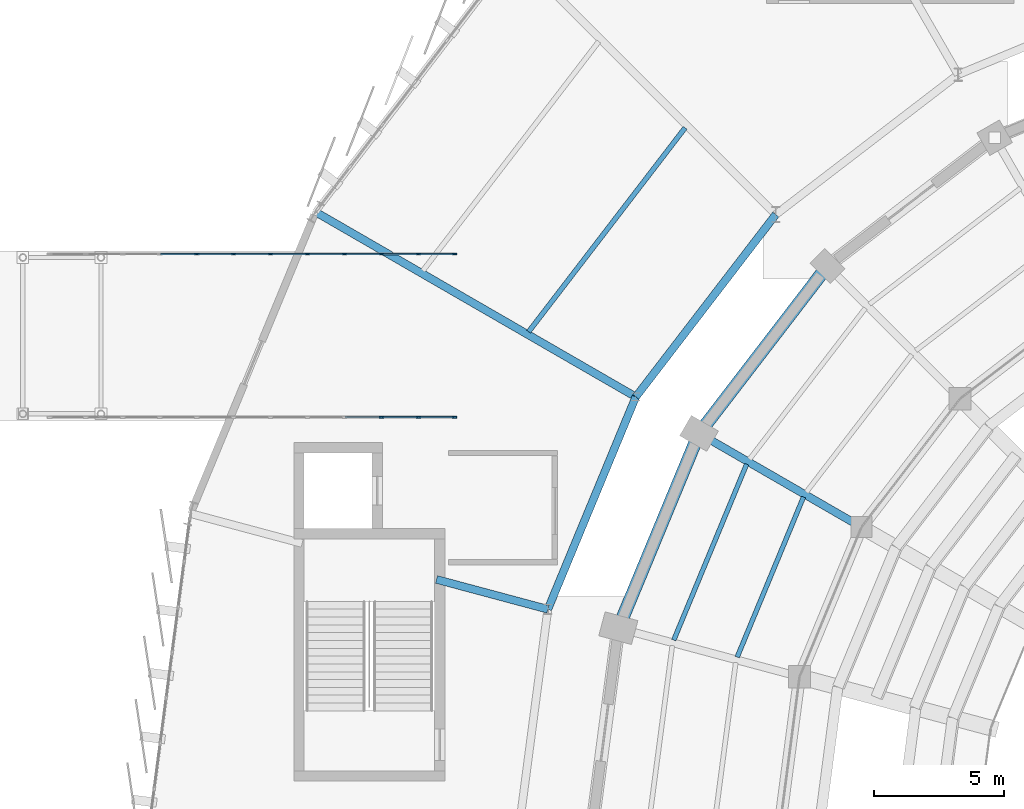
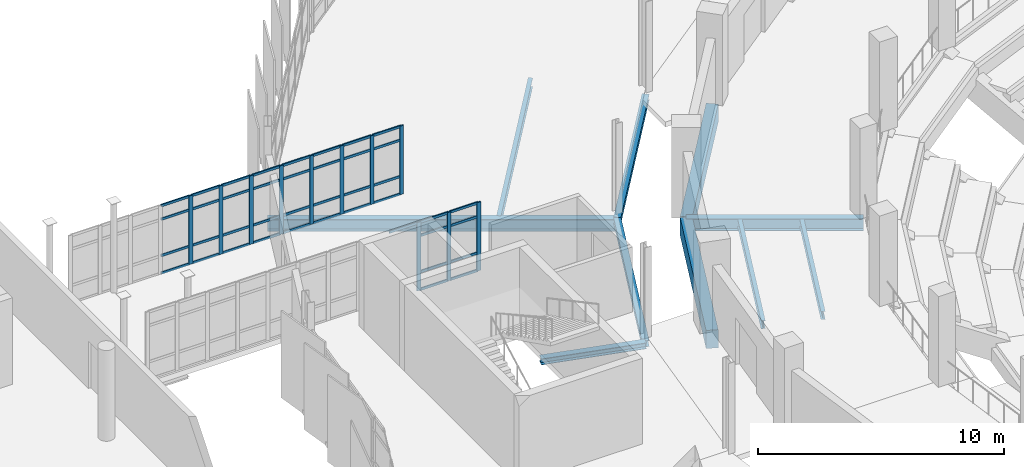
# One storey, part 49 of 134: 52 members, 10 beams, 2 elements without a shape of their own.
"""IFC4 building model written with IfcOpenShell, lengths in metres."""

from ifc_helpers import new_model, si_unit, direction, frame, origin, origin_2d, place, context, subcontext, project, spatial, rectangle, i_section, extrude, material, layer, layer_set, material_profile, profile_set, type_object, element, aggregate, save


model = new_model("IFC4")

# Units and contexts
model_context = context("Model", 3, precision=1e-05, world=origin(), true_north=direction((0.0, 1.0)))
body_context = subcontext(model_context, "Body", "Model", "MODEL_VIEW")
ifc_project = project(units=[si_unit("LENGTHUNIT", "METRE"), si_unit("AREAUNIT", "SQUARE_METRE"), si_unit("VOLUMEUNIT", "CUBIC_METRE"), si_unit("PLANEANGLEUNIT", "RADIAN"), si_unit("MASSUNIT", "GRAM", prefix="KILO")], contexts=[model_context])

# Site, building, storey
site_placement = place(None, origin())
site = spatial("IfcSite", under=ifc_project, at=site_placement, CompositionType="ELEMENT")
building_placement = place(site_placement, origin())
building = spatial("IfcBuilding", under=site, at=building_placement, Name="Sohan Crest Arena", CompositionType="ELEMENT")
storey_placement = place(building_placement, frame((0.0, 0.0, 4.5)))
storey = spatial("IfcBuildingStorey", under=building, at=storey_placement, Name="L01", CompositionType="ELEMENT", Elevation=4.5)

# Curtain wall, members
ifc_material_1 = material(Name="Thermally broken anodised aluminium", Category="aluminium")
ifc_layer = layer(ifc_material_1, 0.18994140625, Name="Thermally broken anodised aluminium")
ifc_layer_set = layer_set([ifc_layer], Name="Thermally broken anodised aluminium")
curtain_wall_type = type_object("IfcCurtainWallType", Name="ARC-CW05", PredefinedType="NOTDEFINED", material=ifc_layer_set)
curtain_wall_1_placement = place(storey_placement, origin())
curtain_wall_1 = element("IfcCurtainWall", 1, at=curtain_wall_1_placement, inside=storey, type_object=curtain_wall_type, Name="Unitised curtain wall CW-233", PredefinedType="NOTDEFINED")
ifc_material_profile_1 = material_profile(ifc_material_1, rectangle(XDim=0.06494140625, YDim=0.179931640625, at=origin_2d()), Name="ALU-MULL 65x180")
ifc_profile_set_1 = profile_set([ifc_material_profile_1], Name="Thermally broken anodised aluminium")
member_type_1 = type_object("IfcMemberType", Name="ARC-CW-ML02", PredefinedType="MULLION", material=ifc_profile_set_1)
member_1_placement = place(storey_placement, frame((58.963623046875, 94.1201171875, 0.0), z_axis=(0.0, 0.0, 1.0), x_axis=(0.0, 1.0, 0.0)))
member_1 = element("IfcMember", 2, at=member_1_placement, type_object=member_type_1, Name="CW-233 mullion 10", PredefinedType="MULLION", context=body_context, shape_type="SweptSolid", body=[
    extrude(rectangle(XDim=0.06494140625, YDim=0.179931640625, at=origin_2d()), origin(), (0.0, 0.0, 1.0), 3.39990234375),
])
member_2_placement = place(storey_placement, frame((60.3818359375, 94.1201171875, 0.0), z_axis=(0.0, 0.0, 1.0), x_axis=(0.0, 1.0, 0.0)))
member_2 = element("IfcMember", 3, at=member_2_placement, type_object=member_type_1, Name="CW-233 mullion 11", PredefinedType="MULLION", context=body_context, shape_type="SweptSolid", body=[
    extrude(rectangle(XDim=0.06494140625, YDim=0.179931640625, at=origin_2d()), origin(), (0.0, 0.0, 1.0), 3.39990234375),
])
member_3_placement = place(storey_placement, frame((61.767578125, 94.1201171875, 0.0), z_axis=(0.0, 0.0, 1.0), x_axis=(0.0, 1.0, 0.0)))
member_3 = element("IfcMember", 4, at=member_3_placement, type_object=member_type_1, Name="CW-233 mullion 12", PredefinedType="MULLION", context=body_context, shape_type="SweptSolid", body=[
    extrude(rectangle(XDim=0.06494140625, YDim=0.179931640625, at=origin_2d()), origin(), (0.0, 0.0, 1.0), 3.39990234375),
])

curtain_wall_2_placement = place(storey_placement, origin())
curtain_wall_2 = element("IfcCurtainWall", 5, at=curtain_wall_2_placement, inside=storey, type_object=curtain_wall_type, Name="Unitised curtain wall CW-234", PredefinedType="NOTDEFINED")
member_4_placement = place(storey_placement, frame((51.872802734375, 100.3798828125, 0.0), z_axis=(0.0, 0.0, 1.0), x_axis=(0.0, 1.0, 0.0)))
member_4 = element("IfcMember", 6, at=member_4_placement, type_object=member_type_1, Name="CW-234 mullion 5", PredefinedType="MULLION", context=body_context, shape_type="SweptSolid", body=[
    extrude(rectangle(XDim=0.06494140625, YDim=0.179931640625, at=origin_2d()), origin(), (0.0, 0.0, 1.0), 3.39990234375),
])
member_5_placement = place(storey_placement, frame((53.291015625, 100.3798828125, 0.0), z_axis=(0.0, 0.0, 1.0), x_axis=(0.0, 1.0, 0.0)))
member_5 = element("IfcMember", 7, at=member_5_placement, type_object=member_type_1, Name="CW-234 mullion 6", PredefinedType="MULLION", context=body_context, shape_type="SweptSolid", body=[
    extrude(rectangle(XDim=0.06494140625, YDim=0.179931640625, at=origin_2d()), origin(), (0.0, 0.0, 1.0), 3.39990234375),
])
member_6_placement = place(storey_placement, frame((54.708984375, 100.3798828125, 0.0), z_axis=(0.0, 0.0, 1.0), x_axis=(0.0, 1.0, 0.0)))
member_6 = element("IfcMember", 8, at=member_6_placement, type_object=member_type_1, Name="CW-234 mullion 7", PredefinedType="MULLION", context=body_context, shape_type="SweptSolid", body=[
    extrude(rectangle(XDim=0.06494140625, YDim=0.179931640625, at=origin_2d()), origin(), (0.0, 0.0, 1.0), 3.39990234375),
])
member_7_placement = place(storey_placement, frame((56.127197265625, 100.3798828125, 0.0), z_axis=(0.0, 0.0, 1.0), x_axis=(0.0, 1.0, 0.0)))
member_7 = element("IfcMember", 9, at=member_7_placement, type_object=member_type_1, Name="CW-234 mullion 8", PredefinedType="MULLION", context=body_context, shape_type="SweptSolid", body=[
    extrude(rectangle(XDim=0.06494140625, YDim=0.179931640625, at=origin_2d()), origin(), (0.0, 0.0, 1.0), 3.39990234375),
])
member_8_placement = place(storey_placement, frame((57.54541015625, 100.3798828125, 0.0), z_axis=(0.0, 0.0, 1.0), x_axis=(0.0, 1.0, 0.0)))
member_8 = element("IfcMember", 10, at=member_8_placement, type_object=member_type_1, Name="CW-234 mullion 9", PredefinedType="MULLION", context=body_context, shape_type="SweptSolid", body=[
    extrude(rectangle(XDim=0.06494140625, YDim=0.179931640625, at=origin_2d()), origin(), (0.0, 0.0, 1.0), 3.39990234375),
])
member_9_placement = place(storey_placement, frame((58.963623046875, 100.3798828125, 0.0), z_axis=(0.0, 0.0, 1.0), x_axis=(0.0, 1.0, 0.0)))
member_9 = element("IfcMember", 11, at=member_9_placement, type_object=member_type_1, Name="CW-234 mullion 10", PredefinedType="MULLION", context=body_context, shape_type="SweptSolid", body=[
    extrude(rectangle(XDim=0.06494140625, YDim=0.179931640625, at=origin_2d()), origin(), (0.0, 0.0, 1.0), 3.39990234375),
])
member_10_placement = place(storey_placement, frame((60.3818359375, 100.3798828125, 0.0), z_axis=(0.0, 0.0, 1.0), x_axis=(0.0, 1.0, 0.0)))
member_10 = element("IfcMember", 12, at=member_10_placement, type_object=member_type_1, Name="CW-234 mullion 11", PredefinedType="MULLION", context=body_context, shape_type="SweptSolid", body=[
    extrude(rectangle(XDim=0.06494140625, YDim=0.179931640625, at=origin_2d()), origin(), (0.0, 0.0, 1.0), 3.39990234375),
])
member_11_placement = place(storey_placement, frame((61.767578125, 100.3798828125, 0.0), z_axis=(0.0, 0.0, 1.0), x_axis=(0.0, 1.0, 0.0)))
member_11 = element("IfcMember", 13, at=member_11_placement, type_object=member_type_1, Name="CW-234 mullion 12", PredefinedType="MULLION", context=body_context, shape_type="SweptSolid", body=[
    extrude(rectangle(XDim=0.06494140625, YDim=0.179931640625, at=origin_2d()), origin(), (0.0, 0.0, 1.0), 3.39990234375),
])

# Member
ifc_material_profile_2 = material_profile(ifc_material_1, rectangle(XDim=0.06005859375, YDim=0.1201171875, at=origin_2d()), Name="ALU-TRAN 60x120")
ifc_profile_set_2 = profile_set([ifc_material_profile_2], Name="Thermally broken anodised aluminium")
member_type_2 = type_object("IfcMemberType", Name="ARC-CW-TR01", PredefinedType="USERDEFINED", material=ifc_profile_set_2)
member_12_placement = place(storey_placement, frame((57.577880859375, 94.1201171875, 3.3701171875), z_axis=(1.0, 0.0, 0.0), x_axis=(0.0, 1.0, 0.0)))
member_12 = element("IfcMember", 14, at=member_12_placement, type_object=member_type_2, Name="CW-233 transom 9.4", ObjectType="TRANSOM", PredefinedType="USERDEFINED", context=body_context, shape_type="SweptSolid", body=[
    extrude(rectangle(XDim=0.06005859375, YDim=0.1201171875, at=origin_2d()), origin(), (0.0, 0.0, 1.0), 1.353271484375),
])

member_13_placement = place(storey_placement, frame((58.99609375, 94.1201171875, 0.030029296875), z_axis=(1.0, 0.0, 0.0), x_axis=(0.0, 1.0, 0.0)))
member_13 = element("IfcMember", 15, at=member_13_placement, type_object=member_type_2, Name="CW-233 transom 10.1", ObjectType="TRANSOM", PredefinedType="USERDEFINED", context=body_context, shape_type="SweptSolid", body=[
    extrude(rectangle(XDim=0.06005859375, YDim=0.1201171875, at=origin_2d()), origin(), (0.0, 0.0, 1.0), 1.353271484375),
])

member_14_placement = place(storey_placement, frame((58.99609375, 94.1201171875, 0.89990234375), z_axis=(1.0, 0.0, 0.0), x_axis=(0.0, 1.0, 0.0)))
member_14 = element("IfcMember", 16, at=member_14_placement, type_object=member_type_2, Name="CW-233 transom 10.2", ObjectType="TRANSOM", PredefinedType="USERDEFINED", context=body_context, shape_type="SweptSolid", body=[
    extrude(rectangle(XDim=0.06005859375, YDim=0.1201171875, at=origin_2d()), origin(), (0.0, 0.0, 1.0), 1.353271484375),
])

member_15_placement = place(storey_placement, frame((58.99609375, 94.1201171875, 2.699951171875), z_axis=(1.0, 0.0, 0.0), x_axis=(0.0, 1.0, 0.0)))
member_15 = element("IfcMember", 17, at=member_15_placement, type_object=member_type_2, Name="CW-233 transom 10.3", ObjectType="TRANSOM", PredefinedType="USERDEFINED", context=body_context, shape_type="SweptSolid", body=[
    extrude(rectangle(XDim=0.06005859375, YDim=0.1201171875, at=origin_2d()), origin(), (0.0, 0.0, 1.0), 1.353271484375),
])

member_16_placement = place(storey_placement, frame((58.99609375, 94.1201171875, 3.3701171875), z_axis=(1.0, 0.0, 0.0), x_axis=(0.0, 1.0, 0.0)))
member_16 = element("IfcMember", 18, at=member_16_placement, type_object=member_type_2, Name="CW-233 transom 10.4", ObjectType="TRANSOM", PredefinedType="USERDEFINED", context=body_context, shape_type="SweptSolid", body=[
    extrude(rectangle(XDim=0.06005859375, YDim=0.1201171875, at=origin_2d()), origin(), (0.0, 0.0, 1.0), 1.353271484375),
])

member_17_placement = place(storey_placement, frame((60.414306640625, 94.1201171875, 0.030029296875), z_axis=(1.0, 0.0, 0.0), x_axis=(0.0, 1.0, 0.0)))
member_17 = element("IfcMember", 19, at=member_17_placement, type_object=member_type_2, Name="CW-233 transom 11.1", ObjectType="TRANSOM", PredefinedType="USERDEFINED", context=body_context, shape_type="SweptSolid", body=[
    extrude(rectangle(XDim=0.06005859375, YDim=0.1201171875, at=origin_2d()), origin(), (0.0, 0.0, 1.0), 1.32080078125),
])

member_18_placement = place(storey_placement, frame((60.414306640625, 94.1201171875, 0.89990234375), z_axis=(1.0, 0.0, 0.0), x_axis=(0.0, 1.0, 0.0)))
member_18 = element("IfcMember", 20, at=member_18_placement, type_object=member_type_2, Name="CW-233 transom 11.2", ObjectType="TRANSOM", PredefinedType="USERDEFINED", context=body_context, shape_type="SweptSolid", body=[
    extrude(rectangle(XDim=0.06005859375, YDim=0.1201171875, at=origin_2d()), origin(), (0.0, 0.0, 1.0), 1.32080078125),
])

member_19_placement = place(storey_placement, frame((60.414306640625, 94.1201171875, 2.699951171875), z_axis=(1.0, 0.0, 0.0), x_axis=(0.0, 1.0, 0.0)))
member_19 = element("IfcMember", 21, at=member_19_placement, type_object=member_type_2, Name="CW-233 transom 11.3", ObjectType="TRANSOM", PredefinedType="USERDEFINED", context=body_context, shape_type="SweptSolid", body=[
    extrude(rectangle(XDim=0.06005859375, YDim=0.1201171875, at=origin_2d()), origin(), (0.0, 0.0, 1.0), 1.32080078125),
])

member_20_placement = place(storey_placement, frame((60.414306640625, 94.1201171875, 3.3701171875), z_axis=(1.0, 0.0, 0.0), x_axis=(0.0, 1.0, 0.0)))
member_20 = element("IfcMember", 22, at=member_20_placement, type_object=member_type_2, Name="CW-233 transom 11.4", ObjectType="TRANSOM", PredefinedType="USERDEFINED", context=body_context, shape_type="SweptSolid", body=[
    extrude(rectangle(XDim=0.06005859375, YDim=0.1201171875, at=origin_2d()), origin(), (0.0, 0.0, 1.0), 1.32080078125),
])

aggregate(curtain_wall_1, [member_1, member_2, member_3, member_12, member_13, member_14, member_15, member_16, member_17, member_18, member_19, member_20])

member_21_placement = place(storey_placement, frame((50.487060546875, 100.3798828125, 0.030029296875), z_axis=(1.0, 0.0, 0.0), x_axis=(0.0, 1.0, 0.0)))
member_21 = element("IfcMember", 23, at=member_21_placement, type_object=member_type_2, Name="CW-234 transom 4.1", ObjectType="TRANSOM", PredefinedType="USERDEFINED", context=body_context, shape_type="SweptSolid", body=[
    extrude(rectangle(XDim=0.06005859375, YDim=0.1201171875, at=origin_2d()), origin(), (0.0, 0.0, 1.0), 1.353271484375),
])

member_22_placement = place(storey_placement, frame((50.487060546875, 100.3798828125, 0.89990234375), z_axis=(1.0, 0.0, 0.0), x_axis=(0.0, 1.0, 0.0)))
member_22 = element("IfcMember", 24, at=member_22_placement, type_object=member_type_2, Name="CW-234 transom 4.2", ObjectType="TRANSOM", PredefinedType="USERDEFINED", context=body_context, shape_type="SweptSolid", body=[
    extrude(rectangle(XDim=0.06005859375, YDim=0.1201171875, at=origin_2d()), origin(), (0.0, 0.0, 1.0), 1.353271484375),
])

member_23_placement = place(storey_placement, frame((50.487060546875, 100.3798828125, 2.699951171875), z_axis=(1.0, 0.0, 0.0), x_axis=(0.0, 1.0, 0.0)))
member_23 = element("IfcMember", 25, at=member_23_placement, type_object=member_type_2, Name="CW-234 transom 4.3", ObjectType="TRANSOM", PredefinedType="USERDEFINED", context=body_context, shape_type="SweptSolid", body=[
    extrude(rectangle(XDim=0.06005859375, YDim=0.1201171875, at=origin_2d()), origin(), (0.0, 0.0, 1.0), 1.353271484375),
])

member_24_placement = place(storey_placement, frame((50.487060546875, 100.3798828125, 3.3701171875), z_axis=(1.0, 0.0, 0.0), x_axis=(0.0, 1.0, 0.0)))
member_24 = element("IfcMember", 26, at=member_24_placement, type_object=member_type_2, Name="CW-234 transom 4.4", ObjectType="TRANSOM", PredefinedType="USERDEFINED", context=body_context, shape_type="SweptSolid", body=[
    extrude(rectangle(XDim=0.06005859375, YDim=0.1201171875, at=origin_2d()), origin(), (0.0, 0.0, 1.0), 1.353271484375),
])

member_25_placement = place(storey_placement, frame((51.9052734375, 100.3798828125, 0.030029296875), z_axis=(1.0, 0.0, 0.0), x_axis=(0.0, 1.0, 0.0)))
member_25 = element("IfcMember", 27, at=member_25_placement, type_object=member_type_2, Name="CW-234 transom 5.1", ObjectType="TRANSOM", PredefinedType="USERDEFINED", context=body_context, shape_type="SweptSolid", body=[
    extrude(rectangle(XDim=0.06005859375, YDim=0.1201171875, at=origin_2d()), origin(), (0.0, 0.0, 1.0), 1.35302734375),
])

member_26_placement = place(storey_placement, frame((51.9052734375, 100.3798828125, 0.89990234375), z_axis=(1.0, 0.0, 0.0), x_axis=(0.0, 1.0, 0.0)))
member_26 = element("IfcMember", 28, at=member_26_placement, type_object=member_type_2, Name="CW-234 transom 5.2", ObjectType="TRANSOM", PredefinedType="USERDEFINED", context=body_context, shape_type="SweptSolid", body=[
    extrude(rectangle(XDim=0.06005859375, YDim=0.1201171875, at=origin_2d()), origin(), (0.0, 0.0, 1.0), 1.35302734375),
])

member_27_placement = place(storey_placement, frame((51.9052734375, 100.3798828125, 2.699951171875), z_axis=(1.0, 0.0, 0.0), x_axis=(0.0, 1.0, 0.0)))
member_27 = element("IfcMember", 29, at=member_27_placement, type_object=member_type_2, Name="CW-234 transom 5.3", ObjectType="TRANSOM", PredefinedType="USERDEFINED", context=body_context, shape_type="SweptSolid", body=[
    extrude(rectangle(XDim=0.06005859375, YDim=0.1201171875, at=origin_2d()), origin(), (0.0, 0.0, 1.0), 1.35302734375),
])

member_28_placement = place(storey_placement, frame((51.9052734375, 100.3798828125, 3.3701171875), z_axis=(1.0, 0.0, 0.0), x_axis=(0.0, 1.0, 0.0)))
member_28 = element("IfcMember", 30, at=member_28_placement, type_object=member_type_2, Name="CW-234 transom 5.4", ObjectType="TRANSOM", PredefinedType="USERDEFINED", context=body_context, shape_type="SweptSolid", body=[
    extrude(rectangle(XDim=0.06005859375, YDim=0.1201171875, at=origin_2d()), origin(), (0.0, 0.0, 1.0), 1.35302734375),
])

member_29_placement = place(storey_placement, frame((53.323486328125, 100.3798828125, 0.030029296875), z_axis=(1.0, 0.0, 0.0), x_axis=(0.0, 1.0, 0.0)))
member_29 = element("IfcMember", 31, at=member_29_placement, type_object=member_type_2, Name="CW-234 transom 6.1", ObjectType="TRANSOM", PredefinedType="USERDEFINED", context=body_context, shape_type="SweptSolid", body=[
    extrude(rectangle(XDim=0.06005859375, YDim=0.1201171875, at=origin_2d()), origin(), (0.0, 0.0, 1.0), 1.35302734375),
])

member_30_placement = place(storey_placement, frame((53.323486328125, 100.3798828125, 0.89990234375), z_axis=(1.0, 0.0, 0.0), x_axis=(0.0, 1.0, 0.0)))
member_30 = element("IfcMember", 32, at=member_30_placement, type_object=member_type_2, Name="CW-234 transom 6.2", ObjectType="TRANSOM", PredefinedType="USERDEFINED", context=body_context, shape_type="SweptSolid", body=[
    extrude(rectangle(XDim=0.06005859375, YDim=0.1201171875, at=origin_2d()), origin(), (0.0, 0.0, 1.0), 1.35302734375),
])

member_31_placement = place(storey_placement, frame((53.323486328125, 100.3798828125, 2.699951171875), z_axis=(1.0, 0.0, 0.0), x_axis=(0.0, 1.0, 0.0)))
member_31 = element("IfcMember", 33, at=member_31_placement, type_object=member_type_2, Name="CW-234 transom 6.3", ObjectType="TRANSOM", PredefinedType="USERDEFINED", context=body_context, shape_type="SweptSolid", body=[
    extrude(rectangle(XDim=0.06005859375, YDim=0.1201171875, at=origin_2d()), origin(), (0.0, 0.0, 1.0), 1.35302734375),
])

member_32_placement = place(storey_placement, frame((53.323486328125, 100.3798828125, 3.3701171875), z_axis=(1.0, 0.0, 0.0), x_axis=(0.0, 1.0, 0.0)))
member_32 = element("IfcMember", 34, at=member_32_placement, type_object=member_type_2, Name="CW-234 transom 6.4", ObjectType="TRANSOM", PredefinedType="USERDEFINED", context=body_context, shape_type="SweptSolid", body=[
    extrude(rectangle(XDim=0.06005859375, YDim=0.1201171875, at=origin_2d()), origin(), (0.0, 0.0, 1.0), 1.35302734375),
])

member_33_placement = place(storey_placement, frame((54.74169921875, 100.3798828125, 0.030029296875), z_axis=(1.0, 0.0, 0.0), x_axis=(0.0, 1.0, 0.0)))
member_33 = element("IfcMember", 35, at=member_33_placement, type_object=member_type_2, Name="CW-234 transom 7.1", ObjectType="TRANSOM", PredefinedType="USERDEFINED", context=body_context, shape_type="SweptSolid", body=[
    extrude(rectangle(XDim=0.06005859375, YDim=0.1201171875, at=origin_2d()), origin(), (0.0, 0.0, 1.0), 1.35302734375),
])

member_34_placement = place(storey_placement, frame((54.74169921875, 100.3798828125, 0.89990234375), z_axis=(1.0, 0.0, 0.0), x_axis=(0.0, 1.0, 0.0)))
member_34 = element("IfcMember", 36, at=member_34_placement, type_object=member_type_2, Name="CW-234 transom 7.2", ObjectType="TRANSOM", PredefinedType="USERDEFINED", context=body_context, shape_type="SweptSolid", body=[
    extrude(rectangle(XDim=0.06005859375, YDim=0.1201171875, at=origin_2d()), origin(), (0.0, 0.0, 1.0), 1.35302734375),
])

member_35_placement = place(storey_placement, frame((54.74169921875, 100.3798828125, 2.699951171875), z_axis=(1.0, 0.0, 0.0), x_axis=(0.0, 1.0, 0.0)))
member_35 = element("IfcMember", 37, at=member_35_placement, type_object=member_type_2, Name="CW-234 transom 7.3", ObjectType="TRANSOM", PredefinedType="USERDEFINED", context=body_context, shape_type="SweptSolid", body=[
    extrude(rectangle(XDim=0.06005859375, YDim=0.1201171875, at=origin_2d()), origin(), (0.0, 0.0, 1.0), 1.35302734375),
])

member_36_placement = place(storey_placement, frame((54.74169921875, 100.3798828125, 3.3701171875), z_axis=(1.0, 0.0, 0.0), x_axis=(0.0, 1.0, 0.0)))
member_36 = element("IfcMember", 38, at=member_36_placement, type_object=member_type_2, Name="CW-234 transom 7.4", ObjectType="TRANSOM", PredefinedType="USERDEFINED", context=body_context, shape_type="SweptSolid", body=[
    extrude(rectangle(XDim=0.06005859375, YDim=0.1201171875, at=origin_2d()), origin(), (0.0, 0.0, 1.0), 1.35302734375),
])

member_37_placement = place(storey_placement, frame((56.15966796875, 100.3798828125, 0.030029296875), z_axis=(1.0, 0.0, 0.0), x_axis=(0.0, 1.0, 0.0)))
member_37 = element("IfcMember", 39, at=member_37_placement, type_object=member_type_2, Name="CW-234 transom 8.1", ObjectType="TRANSOM", PredefinedType="USERDEFINED", context=body_context, shape_type="SweptSolid", body=[
    extrude(rectangle(XDim=0.06005859375, YDim=0.1201171875, at=origin_2d()), origin(), (0.0, 0.0, 1.0), 1.353271484375),
])

member_38_placement = place(storey_placement, frame((56.15966796875, 100.3798828125, 0.89990234375), z_axis=(1.0, 0.0, 0.0), x_axis=(0.0, 1.0, 0.0)))
member_38 = element("IfcMember", 40, at=member_38_placement, type_object=member_type_2, Name="CW-234 transom 8.2", ObjectType="TRANSOM", PredefinedType="USERDEFINED", context=body_context, shape_type="SweptSolid", body=[
    extrude(rectangle(XDim=0.06005859375, YDim=0.1201171875, at=origin_2d()), origin(), (0.0, 0.0, 1.0), 1.353271484375),
])

member_39_placement = place(storey_placement, frame((56.15966796875, 100.3798828125, 2.699951171875), z_axis=(1.0, 0.0, 0.0), x_axis=(0.0, 1.0, 0.0)))
member_39 = element("IfcMember", 41, at=member_39_placement, type_object=member_type_2, Name="CW-234 transom 8.3", ObjectType="TRANSOM", PredefinedType="USERDEFINED", context=body_context, shape_type="SweptSolid", body=[
    extrude(rectangle(XDim=0.06005859375, YDim=0.1201171875, at=origin_2d()), origin(), (0.0, 0.0, 1.0), 1.353271484375),
])

member_40_placement = place(storey_placement, frame((56.15966796875, 100.3798828125, 3.3701171875), z_axis=(1.0, 0.0, 0.0), x_axis=(0.0, 1.0, 0.0)))
member_40 = element("IfcMember", 42, at=member_40_placement, type_object=member_type_2, Name="CW-234 transom 8.4", ObjectType="TRANSOM", PredefinedType="USERDEFINED", context=body_context, shape_type="SweptSolid", body=[
    extrude(rectangle(XDim=0.06005859375, YDim=0.1201171875, at=origin_2d()), origin(), (0.0, 0.0, 1.0), 1.353271484375),
])

member_41_placement = place(storey_placement, frame((57.577880859375, 100.3798828125, 0.030029296875), z_axis=(1.0, 0.0, 0.0), x_axis=(0.0, 1.0, 0.0)))
member_41 = element("IfcMember", 43, at=member_41_placement, type_object=member_type_2, Name="CW-234 transom 9.1", ObjectType="TRANSOM", PredefinedType="USERDEFINED", context=body_context, shape_type="SweptSolid", body=[
    extrude(rectangle(XDim=0.06005859375, YDim=0.1201171875, at=origin_2d()), origin(), (0.0, 0.0, 1.0), 1.353271484375),
])

member_42_placement = place(storey_placement, frame((57.577880859375, 100.3798828125, 0.89990234375), z_axis=(1.0, 0.0, 0.0), x_axis=(0.0, 1.0, 0.0)))
member_42 = element("IfcMember", 44, at=member_42_placement, type_object=member_type_2, Name="CW-234 transom 9.2", ObjectType="TRANSOM", PredefinedType="USERDEFINED", context=body_context, shape_type="SweptSolid", body=[
    extrude(rectangle(XDim=0.06005859375, YDim=0.1201171875, at=origin_2d()), origin(), (0.0, 0.0, 1.0), 1.353271484375),
])

member_43_placement = place(storey_placement, frame((57.577880859375, 100.3798828125, 2.699951171875), z_axis=(1.0, 0.0, 0.0), x_axis=(0.0, 1.0, 0.0)))
member_43 = element("IfcMember", 45, at=member_43_placement, type_object=member_type_2, Name="CW-234 transom 9.3", ObjectType="TRANSOM", PredefinedType="USERDEFINED", context=body_context, shape_type="SweptSolid", body=[
    extrude(rectangle(XDim=0.06005859375, YDim=0.1201171875, at=origin_2d()), origin(), (0.0, 0.0, 1.0), 1.353271484375),
])

member_44_placement = place(storey_placement, frame((57.577880859375, 100.3798828125, 3.3701171875), z_axis=(1.0, 0.0, 0.0), x_axis=(0.0, 1.0, 0.0)))
member_44 = element("IfcMember", 46, at=member_44_placement, type_object=member_type_2, Name="CW-234 transom 9.4", ObjectType="TRANSOM", PredefinedType="USERDEFINED", context=body_context, shape_type="SweptSolid", body=[
    extrude(rectangle(XDim=0.06005859375, YDim=0.1201171875, at=origin_2d()), origin(), (0.0, 0.0, 1.0), 1.353271484375),
])

member_45_placement = place(storey_placement, frame((58.99609375, 100.3798828125, 0.030029296875), z_axis=(1.0, 0.0, 0.0), x_axis=(0.0, 1.0, 0.0)))
member_45 = element("IfcMember", 47, at=member_45_placement, type_object=member_type_2, Name="CW-234 transom 10.1", ObjectType="TRANSOM", PredefinedType="USERDEFINED", context=body_context, shape_type="SweptSolid", body=[
    extrude(rectangle(XDim=0.06005859375, YDim=0.1201171875, at=origin_2d()), origin(), (0.0, 0.0, 1.0), 1.353271484375),
])

member_46_placement = place(storey_placement, frame((58.99609375, 100.3798828125, 0.89990234375), z_axis=(1.0, 0.0, 0.0), x_axis=(0.0, 1.0, 0.0)))
member_46 = element("IfcMember", 48, at=member_46_placement, type_object=member_type_2, Name="CW-234 transom 10.2", ObjectType="TRANSOM", PredefinedType="USERDEFINED", context=body_context, shape_type="SweptSolid", body=[
    extrude(rectangle(XDim=0.06005859375, YDim=0.1201171875, at=origin_2d()), origin(), (0.0, 0.0, 1.0), 1.353271484375),
])

member_47_placement = place(storey_placement, frame((58.99609375, 100.3798828125, 2.699951171875), z_axis=(1.0, 0.0, 0.0), x_axis=(0.0, 1.0, 0.0)))
member_47 = element("IfcMember", 49, at=member_47_placement, type_object=member_type_2, Name="CW-234 transom 10.3", ObjectType="TRANSOM", PredefinedType="USERDEFINED", context=body_context, shape_type="SweptSolid", body=[
    extrude(rectangle(XDim=0.06005859375, YDim=0.1201171875, at=origin_2d()), origin(), (0.0, 0.0, 1.0), 1.353271484375),
])

member_48_placement = place(storey_placement, frame((58.99609375, 100.3798828125, 3.3701171875), z_axis=(1.0, 0.0, 0.0), x_axis=(0.0, 1.0, 0.0)))
member_48 = element("IfcMember", 50, at=member_48_placement, type_object=member_type_2, Name="CW-234 transom 10.4", ObjectType="TRANSOM", PredefinedType="USERDEFINED", context=body_context, shape_type="SweptSolid", body=[
    extrude(rectangle(XDim=0.06005859375, YDim=0.1201171875, at=origin_2d()), origin(), (0.0, 0.0, 1.0), 1.353271484375),
])

member_49_placement = place(storey_placement, frame((60.414306640625, 100.3798828125, 0.030029296875), z_axis=(1.0, 0.0, 0.0), x_axis=(0.0, 1.0, 0.0)))
member_49 = element("IfcMember", 51, at=member_49_placement, type_object=member_type_2, Name="CW-234 transom 11.1", ObjectType="TRANSOM", PredefinedType="USERDEFINED", context=body_context, shape_type="SweptSolid", body=[
    extrude(rectangle(XDim=0.06005859375, YDim=0.1201171875, at=origin_2d()), origin(), (0.0, 0.0, 1.0), 1.32080078125),
])

member_50_placement = place(storey_placement, frame((60.414306640625, 100.3798828125, 0.89990234375), z_axis=(1.0, 0.0, 0.0), x_axis=(0.0, 1.0, 0.0)))
member_50 = element("IfcMember", 52, at=member_50_placement, type_object=member_type_2, Name="CW-234 transom 11.2", ObjectType="TRANSOM", PredefinedType="USERDEFINED", context=body_context, shape_type="SweptSolid", body=[
    extrude(rectangle(XDim=0.06005859375, YDim=0.1201171875, at=origin_2d()), origin(), (0.0, 0.0, 1.0), 1.32080078125),
])

member_51_placement = place(storey_placement, frame((60.414306640625, 100.3798828125, 2.699951171875), z_axis=(1.0, 0.0, 0.0), x_axis=(0.0, 1.0, 0.0)))
member_51 = element("IfcMember", 53, at=member_51_placement, type_object=member_type_2, Name="CW-234 transom 11.3", ObjectType="TRANSOM", PredefinedType="USERDEFINED", context=body_context, shape_type="SweptSolid", body=[
    extrude(rectangle(XDim=0.06005859375, YDim=0.1201171875, at=origin_2d()), origin(), (0.0, 0.0, 1.0), 1.32080078125),
])

member_52_placement = place(storey_placement, frame((60.414306640625, 100.3798828125, 3.3701171875), z_axis=(1.0, 0.0, 0.0), x_axis=(0.0, 1.0, 0.0)))
member_52 = element("IfcMember", 54, at=member_52_placement, type_object=member_type_2, Name="CW-234 transom 11.4", ObjectType="TRANSOM", PredefinedType="USERDEFINED", context=body_context, shape_type="SweptSolid", body=[
    extrude(rectangle(XDim=0.06005859375, YDim=0.1201171875, at=origin_2d()), origin(), (0.0, 0.0, 1.0), 1.32080078125),
])

aggregate(curtain_wall_2, [member_4, member_5, member_6, member_7, member_8, member_9, member_10, member_11, member_21, member_22, member_23, member_24, member_25, member_26, member_27, member_28, member_29, member_30, member_31, member_32, member_33, member_34, member_35, member_36, member_37, member_38, member_39, member_40, member_41, member_42, member_43, member_44, member_45, member_46, member_47, member_48, member_49, member_50, member_51, member_52])

# Beams
ifc_material_2 = material(Name="Steel S355", Category="steel")
ifc_material_profile_3 = material_profile(ifc_material_2, i_section(OverallWidth=0.179931640625, OverallDepth=0.39990234375, WebThickness=0.008544921875, FlangeThickness=0.013427734375, at=origin_2d()), Name="IPE 400")
ifc_profile_set_3 = profile_set([ifc_material_profile_3], Name="Steel S355")
beam_type_1 = type_object("IfcBeamType", Name="STR-BM-B03", PredefinedType="JOIST", material=ifc_profile_set_3)
beam_1_placement = place(storey_placement, frame((75.1640625, 91.05810546875, -0.449951171875), z_axis=(-0.382711680136, -0.923867831396, 0.0), x_axis=(0.923867831396, -0.382711680136, 0.0)))
element("IfcBeam", 55, at=beam_1_placement, inside=storey, type_object=beam_type_1, Name="Structural beam J-L01-0155", PredefinedType="JOIST", context=body_context, shape_type="SweptSolid", body=[
    extrude(i_section(OverallWidth=0.179931640625, OverallDepth=0.39990234375, WebThickness=0.008544921875, FlangeThickness=0.013427734375, at=origin_2d()), origin(), (0.0, 0.0, 1.0), 6.650390625),
])
beam_2_placement = place(storey_placement, frame((72.98193359375, 92.318115234375, -0.449951171875), z_axis=(-0.382800197818, -0.923831158032, 0.0), x_axis=(0.923831158032, -0.382800197818, 0.0)))
element("IfcBeam", 56, at=beam_2_placement, inside=storey, type_object=beam_type_1, Name="Structural beam J-L01-0156", PredefinedType="JOIST", context=body_context, shape_type="SweptSolid", body=[
    extrude(i_section(OverallWidth=0.179931640625, OverallDepth=0.39990234375, WebThickness=0.008544921875, FlangeThickness=0.013427734375, at=origin_2d()), origin(), (0.0, 0.0, 1.0), 7.308837890625),
])
ifc_material_profile_4 = material_profile(ifc_material_2, i_section(OverallWidth=0.18994140625, OverallDepth=0.449951171875, WebThickness=0.009521484375, FlangeThickness=0.0146484375, at=origin_2d()), Name="IPE 450")
ifc_profile_set_4 = profile_set([ifc_material_profile_4], Name="Steel S355")
beam_type_2 = type_object("IfcBeamType", Name="STR-BM-B04", PredefinedType="JOIST", material=ifc_profile_set_4)
beam_3_placement = place(storey_placement, frame((70.618896484375, 105.22705078125, -0.5), z_axis=(-0.608739091659, -0.793370479843, 0.0), x_axis=(0.793370479843, -0.608739091659, 0.0)))
element("IfcBeam", 57, at=beam_3_placement, inside=storey, type_object=beam_type_2, Name="Structural beam J-L01-1106", PredefinedType="JOIST", context=body_context, shape_type="SweptSolid", body=[
    extrude(i_section(OverallWidth=0.18994140625, OverallDepth=0.449951171875, WebThickness=0.009521484375, FlangeThickness=0.0146484375, at=origin_2d()), origin(), (0.0, 0.0, 1.0), 9.864501953125),
])
ifc_material_profile_5 = material_profile(ifc_material_2, i_section(OverallWidth=0.300048828125, OverallDepth=0.590087890625, WebThickness=0.012939453125, FlangeThickness=0.02490234375, at=origin_2d()), Name="HEA 600")
ifc_profile_set_5 = profile_set([ifc_material_profile_5], Name="Steel S355")
beam_type_3 = type_object("IfcBeamType", Name="STR-BM-B11", PredefinedType="BEAM", material=ifc_profile_set_5)
beam_4_placement = place(storey_placement, frame((77.388916015625, 89.89990234375, -0.544921875), z_axis=(-0.866035395735, 0.499982693035, 0.0), x_axis=(-0.499982693035, -0.866035395735, 0.0)))
element("IfcBeam", 58, at=beam_4_placement, inside=storey, type_object=beam_type_3, Name="Structural beam G-L01-0154", PredefinedType="BEAM", context=body_context, shape_type="SweptSolid", body=[
    extrude(i_section(OverallWidth=0.300048828125, OverallDepth=0.590087890625, WebThickness=0.012939453125, FlangeThickness=0.02490234375, at=origin_2d()), origin(), (0.0, 0.0, 1.0), 7.200439453125),
])
beam_5_placement = place(storey_placement, frame((68.72802734375, 94.89990234375, -0.570068359375), z_axis=(-0.86601465089, 0.500018624098, 0.0), x_axis=(-0.500018624098, -0.86601465089, 0.0)))
element("IfcBeam", 59, at=beam_5_placement, inside=storey, type_object=beam_type_3, Name="Structural beam G-L01-1108", PredefinedType="BEAM", context=body_context, shape_type="SweptSolid", body=[
    extrude(i_section(OverallWidth=0.300048828125, OverallDepth=0.590087890625, WebThickness=0.012939453125, FlangeThickness=0.02490234375, at=origin_2d()), origin(), (0.0, 0.0, 1.0), 14.19970703125),
])
ifc_material_profile_6 = material_profile(ifc_material_2, i_section(OverallWidth=0.300048828125, OverallDepth=0.300048828125, WebThickness=0.010986328125, FlangeThickness=0.01904296875, at=origin_2d()), Name="HEB 300")
ifc_profile_set_6 = profile_set([ifc_material_profile_6], Name="Steel S355")
beam_type_4 = type_object("IfcBeamType", Name="STR-BM-B12", PredefinedType="BEAM", material=ifc_profile_set_6)
beam_6_placement = place(storey_placement, frame((74.10009765625, 101.89990234375, -0.425048828125), z_axis=(-0.608817165336, -0.793310569192, 0.0), x_axis=(0.793310569192, -0.608817165336, 0.0)))
element("IfcBeam", 60, at=beam_6_placement, inside=storey, type_object=beam_type_4, Name="Structural beam G-L01-1104", PredefinedType="BEAM", context=body_context, shape_type="SweptSolid", body=[
    extrude(i_section(OverallWidth=0.300048828125, OverallDepth=0.300048828125, WebThickness=0.010986328125, FlangeThickness=0.01904296875, at=origin_2d()), origin(), (0.0, 0.0, 1.0), 8.82373046875),
])
beam_7_placement = place(storey_placement, frame((68.72802734375, 94.89990234375, -0.425048828125), z_axis=(-0.38262224111, -0.923904876385, 0.0), x_axis=(0.923904876385, -0.38262224111, 0.0)))
element("IfcBeam", 61, at=beam_7_placement, inside=storey, type_object=beam_type_4, Name="Structural beam G-L01-1109", PredefinedType="BEAM", context=body_context, shape_type="SweptSolid", body=[
    extrude(i_section(OverallWidth=0.300048828125, OverallDepth=0.300048828125, WebThickness=0.010986328125, FlangeThickness=0.01904296875, at=origin_2d()), origin(), (0.0, 0.0, 1.0), 8.8232421875),
])
beam_8_placement = place(storey_placement, frame((65.35205078125, 86.748046875, -0.425048828125), z_axis=(-0.965906157738, 0.258892437981, 0.0), x_axis=(-0.258892437981, -0.965906157738, 0.0)))
element("IfcBeam", 62, at=beam_8_placement, inside=storey, type_object=beam_type_4, Name="Structural beam G-L01-1111", PredefinedType="BEAM", context=body_context, shape_type="SweptSolid", body=[
    extrude(i_section(OverallWidth=0.300048828125, OverallDepth=0.300048828125, WebThickness=0.010986328125, FlangeThickness=0.01904296875, at=origin_2d()), origin(), (0.0, 0.0, 1.0), 4.4228515625),
])
ifc_material_3 = material(Name="Concrete C40/50", Category="concrete")
ifc_material_profile_7 = material_profile(ifc_material_3, rectangle(XDim=0.5, YDim=0.89990234375, at=origin_2d()), Name="RC-BM 500x900")
ifc_profile_set_7 = profile_set([ifc_material_profile_7], Name="Concrete C40/50")
beam_type_5 = type_object("IfcBeamType", Name="STR-BM-TB03", PredefinedType="BEAM", material=ifc_profile_set_7)
beam_9_placement = place(storey_placement, frame((76.080078125, 99.919921875, -0.699951171875), z_axis=(-0.608825408167, -0.793304243257, 0.0), x_axis=(0.793304243257, -0.608825408167, 0.0)))
element("IfcBeam", 63, at=beam_9_placement, inside=storey, type_object=beam_type_5, Name="Structural beam TB-L01-0131", PredefinedType="BEAM", context=body_context, shape_type="SweptSolid", body=[
    extrude(rectangle(XDim=0.5, YDim=0.89990234375, at=origin_2d()), origin(), (0.0, 0.0, 1.0), 8.092529296875),
])
beam_10_placement = place(storey_placement, frame((71.153076171875, 93.5, -0.699951171875), z_axis=(-0.382691039498, -0.923876381497, 0.0), x_axis=(0.923876381497, -0.382691039498, 0.0)))
element("IfcBeam", 64, at=beam_10_placement, inside=storey, type_object=beam_type_5, Name="Structural beam TB-L01-0153", PredefinedType="BEAM", context=body_context, shape_type="SweptSolid", body=[
    extrude(rectangle(XDim=0.5, YDim=0.89990234375, at=origin_2d()), origin(), (0.0, 0.0, 1.0), 8.093017578125),
])

save(model, "model.ifc")
